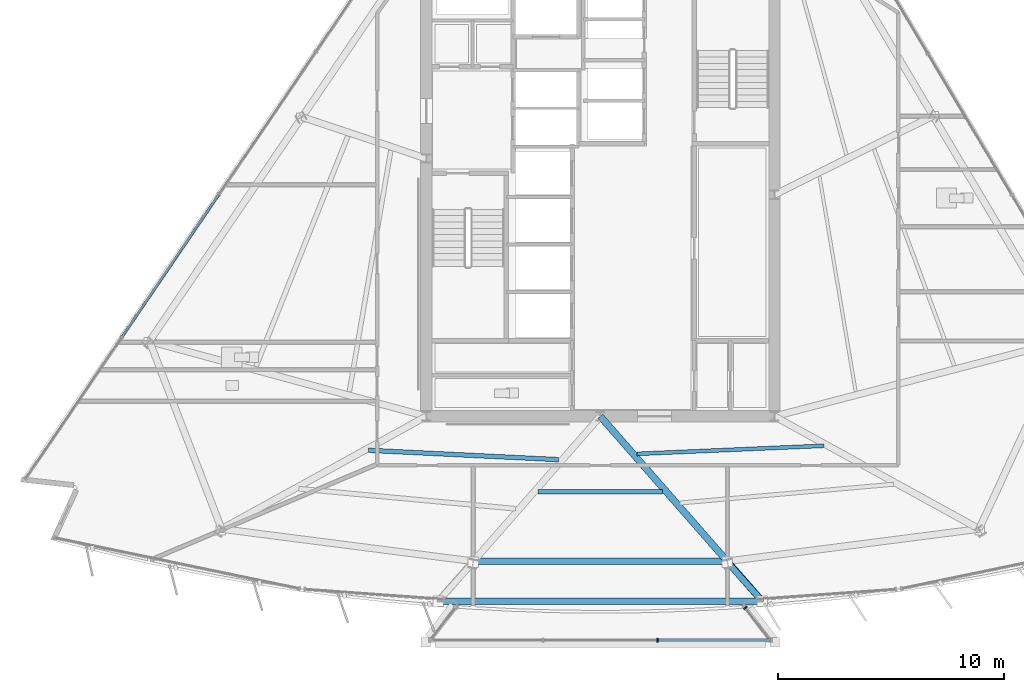
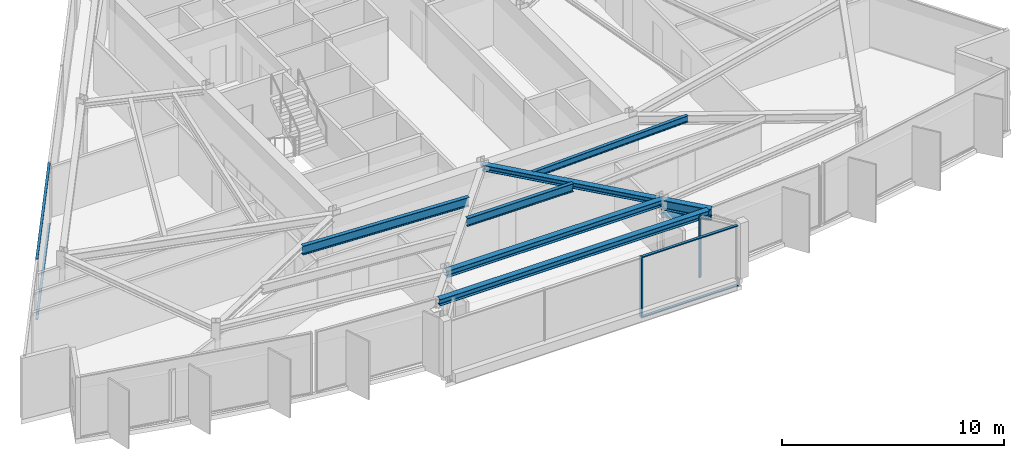
# One storey, part 3 of 14: 7 beams, 7 members, 3 elements without a shape of their own.
"""IFC4 building model written with IfcOpenShell, lengths in metres."""

from ifc_helpers import new_model, si_unit, direction, frame, origin, origin_2d, place, context, subcontext, project, spatial, rectangle, hollow_circle, i_section, extrude, material, material_profile, profile_set, type_object, element, aggregate, save


model = new_model("IFC4")

# Units and contexts
model_context = context("Model", 3, precision=1e-05, world=origin(), true_north=direction((0.0, 1.0)))
body_context = subcontext(model_context, "Body", "Model", "MODEL_VIEW")
ifc_project = project(units=[si_unit("LENGTHUNIT", "METRE"), si_unit("AREAUNIT", "SQUARE_METRE"), si_unit("VOLUMEUNIT", "CUBIC_METRE"), si_unit("PLANEANGLEUNIT", "RADIAN"), si_unit("MASSUNIT", "GRAM", prefix="KILO")], contexts=[model_context])

# Site, building, storey
site_placement = place(None, origin())
site = spatial("IfcSite", under=ifc_project, at=site_placement, CompositionType="ELEMENT")
building_placement = place(site_placement, origin())
building = spatial("IfcBuilding", under=site, at=building_placement, Name="Savorim Split Tower", CompositionType="ELEMENT")
storey_placement = place(building_placement, frame((0.0, 0.0, 205.5)))
storey = spatial("IfcBuildingStorey", under=building, at=storey_placement, Name="L54", CompositionType="ELEMENT", Elevation=205.5)

# Beams
ifc_material_1 = material(Name="Steel S355", Category="steel")
ifc_material_profile_1 = material_profile(ifc_material_1, i_section(OverallWidth=0.169921875, OverallDepth=0.360107421875, WebThickness=0.008056640625, FlangeThickness=0.0126953125, FilletRadius=0.01806640625, at=origin_2d()), Name="IPE 360")
ifc_profile_set_1 = profile_set([ifc_material_profile_1], Name="Steel S355")
beam_type_1 = type_object("IfcBeamType", Name="BM-JST-IPE360", PredefinedType="JOIST", material=ifc_profile_set_1)
beam_1_placement = place(storey_placement, frame((1.619140625, -11.059326171875, 3.169921875), z_axis=(0.999065480829, 0.043222274535, 0.0), x_axis=(-0.043222274535, 0.999065480829, 0.0)))
element("IfcBeam", 1, at=beam_1_placement, inside=storey, type_object=beam_type_1, Name="L54 Secondary Floor Joist JS-05", PredefinedType="JOIST", context=body_context, shape_type="SweptSolid", body=[
    extrude(i_section(OverallWidth=0.169921875, OverallDepth=0.360107421875, WebThickness=0.008056640625, FlangeThickness=0.0126953125, FilletRadius=0.01806640625, at=origin_2d()), origin(), (0.0, 0.0, 1.0), 8.28076171875),
])
ifc_material_profile_2 = material_profile(ifc_material_1, i_section(OverallWidth=0.18994140625, OverallDepth=0.449951171875, WebThickness=0.009521484375, FlangeThickness=0.0146484375, FilletRadius=0.02099609375, at=origin_2d()), Name="IPE 450")
ifc_profile_set_2 = profile_set([ifc_material_profile_2], Name="Steel S355")
beam_type_2 = type_object("IfcBeamType", Name="BM-JST-IPE450", PredefinedType="JOIST", material=ifc_profile_set_2)
beam_2_placement = place(storey_placement, frame((-2.758544921875, -12.732421875, 3.125), z_axis=(1.0, 0.0, 0.0), x_axis=(0.0, 1.0, 0.0)))
element("IfcBeam", 2, at=beam_2_placement, inside=storey, type_object=beam_type_2, Name="L54 Secondary Floor Joist JS-03", PredefinedType="JOIST", context=body_context, shape_type="SweptSolid", body=[
    extrude(i_section(OverallWidth=0.18994140625, OverallDepth=0.449951171875, WebThickness=0.009521484375, FlangeThickness=0.0146484375, FilletRadius=0.02099609375, at=origin_2d()), origin(), (0.0, 0.0, 1.0), 5.51708984375),
])
ifc_material_profile_3 = material_profile(ifc_material_1, i_section(OverallWidth=0.199951171875, OverallDepth=0.5, WebThickness=0.01025390625, FlangeThickness=0.01611328125, FilletRadius=0.02099609375, at=origin_2d()), Name="IPE 500")
ifc_profile_set_3 = profile_set([ifc_material_profile_3], Name="Steel S355")
beam_type_3 = type_object("IfcBeamType", Name="BM-JST-IPE500", PredefinedType="JOIST", material=ifc_profile_set_3)
beam_3_placement = place(storey_placement, frame((-10.25390625, -10.901611328125, 3.10009765625), z_axis=(0.998795983096, -0.049056948051, 0.0), x_axis=(0.049056948051, 0.998795983096, 0.0)))
element("IfcBeam", 3, at=beam_3_placement, inside=storey, type_object=beam_type_3, Name="L54 Secondary Floor Joist JS-02", PredefinedType="JOIST", context=body_context, shape_type="SweptSolid", body=[
    extrude(i_section(OverallWidth=0.199951171875, OverallDepth=0.5, WebThickness=0.01025390625, FlangeThickness=0.01611328125, FilletRadius=0.02099609375, at=origin_2d()), origin(), (0.0, 0.0, 1.0), 8.420654296875),
])
ifc_material_profile_4 = material_profile(ifc_material_1, i_section(OverallWidth=0.300048828125, OverallDepth=0.320068359375, WebThickness=0.011474609375, FlangeThickness=0.0205078125, FilletRadius=0.027099609375, at=origin_2d()), Name="HEB 320")
ifc_profile_set_4 = profile_set([ifc_material_profile_4], Name="Steel S355")
beam_type_4 = type_object("IfcBeamType", Name="BM-PRI-HEB320", PredefinedType="BEAM", material=ifc_profile_set_4)
beam_4_placement = place(storey_placement, frame((5.612548828125, -15.80859375, 3.18994140625), z_axis=(-0.658833231646, 0.752289022171, 0.0), x_axis=(-0.752289022171, -0.658833231646, 0.0)))
element("IfcBeam", 4, at=beam_4_placement, inside=storey, type_object=beam_type_4, Name="L54 Primary Floor Girder RG-03", PredefinedType="BEAM", context=body_context, shape_type="SweptSolid", body=[
    extrude(i_section(OverallWidth=0.300048828125, OverallDepth=0.320068359375, WebThickness=0.011474609375, FlangeThickness=0.0205078125, FilletRadius=0.027099609375, at=origin_2d()), origin(), (0.0, 0.0, 1.0), 8.51904296875),
])
ifc_material_profile_5 = material_profile(ifc_material_1, i_section(OverallWidth=0.300048828125, OverallDepth=0.550048828125, WebThickness=0.014892578125, FlangeThickness=0.029052734375, FilletRadius=0.027099609375, at=origin_2d()), Name="HEB 550")
ifc_profile_set_5 = profile_set([ifc_material_profile_5], Name="Steel S355")
beam_type_5 = type_object("IfcBeamType", Name="BM-PRI-HEB550", PredefinedType="BEAM", material=ifc_profile_set_5)
beam_5_placement = place(storey_placement, frame((5.612548828125, -15.80859375, 3.074951171875), z_axis=(0.658864926547, -0.752261263502, 0.0), x_axis=(0.752261263502, 0.658864926547, 0.0)))
element("IfcBeam", 5, at=beam_5_placement, inside=storey, type_object=beam_type_5, Name="L54 Cantilevered Lounge Rib 2", PredefinedType="BEAM", context=body_context, shape_type="SweptSolid", body=[
    extrude(i_section(OverallWidth=0.300048828125, OverallDepth=0.550048828125, WebThickness=0.014892578125, FlangeThickness=0.029052734375, FilletRadius=0.027099609375, at=origin_2d()), origin(), (0.0, 0.0, 1.0), 2.35009765625),
])
ifc_material_profile_6 = material_profile(ifc_material_1, i_section(OverallWidth=0.300048828125, OverallDepth=0.35009765625, WebThickness=0.010009765625, FlangeThickness=0.017578125, FilletRadius=0.027099609375, at=origin_2d()), Name="HEA 360")
ifc_profile_set_6 = profile_set([ifc_material_profile_6], Name="Steel S355")
beam_type_6 = type_object("IfcBeamType", Name="BM-SPN-HEA360", PredefinedType="SPANDREL", material=ifc_profile_set_6)
beam_6_placement = place(storey_placement, frame((-5.612548828125, -15.80859375, 3.175048828125), z_axis=(1.0, 0.0, 0.0), x_axis=(0.0, 1.0, 0.0)))
element("IfcBeam", 6, at=beam_6_placement, inside=storey, type_object=beam_type_6, Name="L54 Perimeter Spandrel Beam 2", PredefinedType="SPANDREL", context=body_context, shape_type="SweptSolid", body=[
    extrude(i_section(OverallWidth=0.300048828125, OverallDepth=0.35009765625, WebThickness=0.010009765625, FlangeThickness=0.017578125, FilletRadius=0.027099609375, at=origin_2d()), origin(), (0.0, 0.0, 1.0), 11.22509765625),
])
beam_7_placement = place(storey_placement, frame((-7.000732421875, -17.576416015625, 3.175048828125), z_axis=(1.0, 0.0, 0.0), x_axis=(0.0, 1.0, 0.0)))
element("IfcBeam", 7, at=beam_7_placement, inside=storey, type_object=beam_type_6, Name="L54 Cantilevered Lounge Front Edge Beam", PredefinedType="SPANDREL", context=body_context, shape_type="SweptSolid", body=[
    extrude(i_section(OverallWidth=0.300048828125, OverallDepth=0.35009765625, WebThickness=0.010009765625, FlangeThickness=0.017578125, FilletRadius=0.027099609375, at=origin_2d()), origin(), (0.0, 0.0, 1.0), 14.00146484375),
])

# Curtain wall, member
ifc_material_2 = material(Name="Dark Ceramic-Fritted Insulated Glass", Category="glass")
curtain_wall_type_1 = type_object("IfcCurtainWallType", Name="CW-BAY-LOUNGE", PredefinedType="NOTDEFINED", material=ifc_material_2)
curtain_wall_1_placement = place(storey_placement, origin())
curtain_wall_1 = element("IfcCurtainWall", 8, at=curtain_wall_1_placement, inside=storey, type_object=curtain_wall_type_1, Name="L54 Curtain Wall CW-L54-BAYF", PredefinedType="NOTDEFINED")
ifc_material_3 = material(Name="Charcoal Anodised Aluminium", Category="aluminium")
ifc_material_profile_7 = material_profile(ifc_material_3, rectangle(XDim=0.179931640625, YDim=0.06494140625, at=origin_2d()), Name="ALU-M 180x65")
ifc_profile_set_7 = profile_set([ifc_material_profile_7], Name="Charcoal Anodised Aluminium")
member_type_1 = type_object("IfcMemberType", Name="CWM-180x65", PredefinedType="MULLION", material=ifc_profile_set_7)
member_1_placement = place(storey_placement, frame((2.53173828125, -19.296142578125, 0.0), z_axis=(0.0, 0.0, 1.0), x_axis=(0.0, 1.0, 0.0)))
member_1 = element("IfcMember", 9, at=member_1_placement, type_object=member_type_1, Name="CW-04 mullion 3", PredefinedType="MULLION", context=body_context, shape_type="SweptSolid", body=[
    extrude(rectangle(XDim=0.179931640625, YDim=0.06494140625, at=origin_2d()), origin(), (0.0, 0.0, 1.0), 3.35009765625),
])

curtain_wall_2_placement = place(storey_placement, origin())
curtain_wall_2 = element("IfcCurtainWall", 10, at=curtain_wall_2_placement, inside=storey, type_object=curtain_wall_type_1, Name="L54 Curtain Wall CW-L54-BAYE", PredefinedType="NOTDEFINED")
member_2_placement = place(storey_placement, frame((6.4091796875, -17.8681640625, 0.0), z_axis=(0.0, 0.0, 1.0), x_axis=(-0.791644427418, -0.610982078738, 0.0)))
member_2 = element("IfcMember", 11, at=member_2_placement, type_object=member_type_1, Name="CW-04 mullion 2", PredefinedType="MULLION", context=body_context, shape_type="SweptSolid", body=[
    extrude(rectangle(XDim=0.179931640625, YDim=0.06494140625, at=origin_2d()), origin(), (0.0, 0.0, 1.0), 3.35009765625),
])
aggregate(curtain_wall_2, [member_2])

# Curtain wall, members
curtain_wall_type_2 = type_object("IfcCurtainWallType", Name="CW-TWR-FRIT-B", PredefinedType="NOTDEFINED", material=ifc_material_2)
curtain_wall_3_placement = place(storey_placement, origin())
curtain_wall_3 = element("IfcCurtainWall", 12, at=curtain_wall_3_placement, inside=storey, type_object=curtain_wall_type_2, Name="L54 Curtain Wall CW-L54-WEST", PredefinedType="NOTDEFINED")
ifc_material_profile_8 = material_profile(ifc_material_3, rectangle(XDim=0.1201171875, YDim=0.050048828125, at=origin_2d()), Name="ALU-T 120x50")
ifc_profile_set_8 = profile_set([ifc_material_profile_8], Name="Charcoal Anodised Aluminium")
member_type_2 = type_object("IfcMemberType", Name="CWT-120x50", PredefinedType="USERDEFINED", material=ifc_profile_set_8)
member_3_placement = place(storey_placement, frame((-16.876708984375, 0.39453125, 0.02490234375), z_axis=(-0.562460105571, -0.826824424918, 0.0), x_axis=(0.826824424918, -0.562460105571, 0.0)))
member_3 = element("IfcMember", 13, at=member_3_placement, type_object=member_type_2, Name="CW-03 transom 3.1", ObjectType="TRANSOM", PredefinedType="USERDEFINED", context=body_context, shape_type="SweptSolid", body=[
    extrude(rectangle(XDim=0.1201171875, YDim=0.050048828125, at=origin_2d()), origin(), (0.0, 0.0, 1.0), 7.5634765625),
])
member_4_placement = place(storey_placement, frame((-16.876708984375, 0.39453125, 3.324951171875), z_axis=(-0.562460105571, -0.826824424918, 0.0), x_axis=(0.826824424918, -0.562460105571, 0.0)))
member_4 = element("IfcMember", 14, at=member_4_placement, type_object=member_type_2, Name="CW-03 transom 3.2", ObjectType="TRANSOM", PredefinedType="USERDEFINED", context=body_context, shape_type="SweptSolid", body=[
    extrude(rectangle(XDim=0.1201171875, YDim=0.050048828125, at=origin_2d()), origin(), (0.0, 0.0, 1.0), 7.5634765625),
])
aggregate(curtain_wall_3, [member_3, member_4])

# Member
ifc_material_profile_9 = material_profile(ifc_material_3, rectangle(XDim=0.139892578125, YDim=0.054931640625, at=origin_2d()), Name="ALU-T 140x55")
ifc_profile_set_9 = profile_set([ifc_material_profile_9], Name="Charcoal Anodised Aluminium")
member_type_3 = type_object("IfcMemberType", Name="CWT-140x55", PredefinedType="USERDEFINED", material=ifc_profile_set_9)
member_5_placement = place(storey_placement, frame((2.564208984375, -19.296142578125, 0.027587890625), z_axis=(1.0, 0.0, 0.0), x_axis=(0.0, 1.0, 0.0)))
member_5 = element("IfcMember", 15, at=member_5_placement, type_object=member_type_3, Name="CW-04 transom 3.1", ObjectType="TRANSOM", PredefinedType="USERDEFINED", context=body_context, shape_type="SweptSolid", body=[
    extrude(rectangle(XDim=0.139892578125, YDim=0.054931640625, at=origin_2d()), origin(), (0.0, 0.0, 1.0), 4.9658203125),
])

member_6_placement = place(storey_placement, frame((2.564208984375, -19.296142578125, 3.322509765625), z_axis=(1.0, 0.0, 0.0), x_axis=(0.0, 1.0, 0.0)))
member_6 = element("IfcMember", 16, at=member_6_placement, type_object=member_type_3, Name="CW-04 transom 3.2", ObjectType="TRANSOM", PredefinedType="USERDEFINED", context=body_context, shape_type="SweptSolid", body=[
    extrude(rectangle(XDim=0.139892578125, YDim=0.054931640625, at=origin_2d()), origin(), (0.0, 0.0, 1.0), 4.9658203125),
])

aggregate(curtain_wall_1, [member_1, member_5, member_6])

ifc_material_profile_10 = material_profile(ifc_material_1, hollow_circle(Radius=0.136474609375, WallThickness=0.01611328125, at=origin_2d()), Name="CHS 273x16")
ifc_profile_set_10 = profile_set([ifc_material_profile_10], Name="Steel S355")
member_type_4 = type_object("IfcMemberType", Name="MBR-CRN-CHS273", PredefinedType="BRACE", material=ifc_profile_set_10)
member_7_placement = place(storey_placement, frame((5.620361328125, -15.84912109375, 2.449951171875), z_axis=(0.657256076957, -0.736939262198, 0.157908116112), x_axis=(0.74630251536, 0.665606907692, 0.0)))
element("IfcMember", 17, at=member_7_placement, inside=storey, type_object=member_type_4, Name="L54 Cantilevered Bay Support Strut 2", PredefinedType="BRACE", context=body_context, shape_type="SweptSolid", body=[
    extrude(hollow_circle(Radius=0.136474609375, WallThickness=0.01611328125, at=origin_2d()), origin(), (0.0, 0.0, 1.0), 2.343994140625),
])

save(model, "model.ifc")
